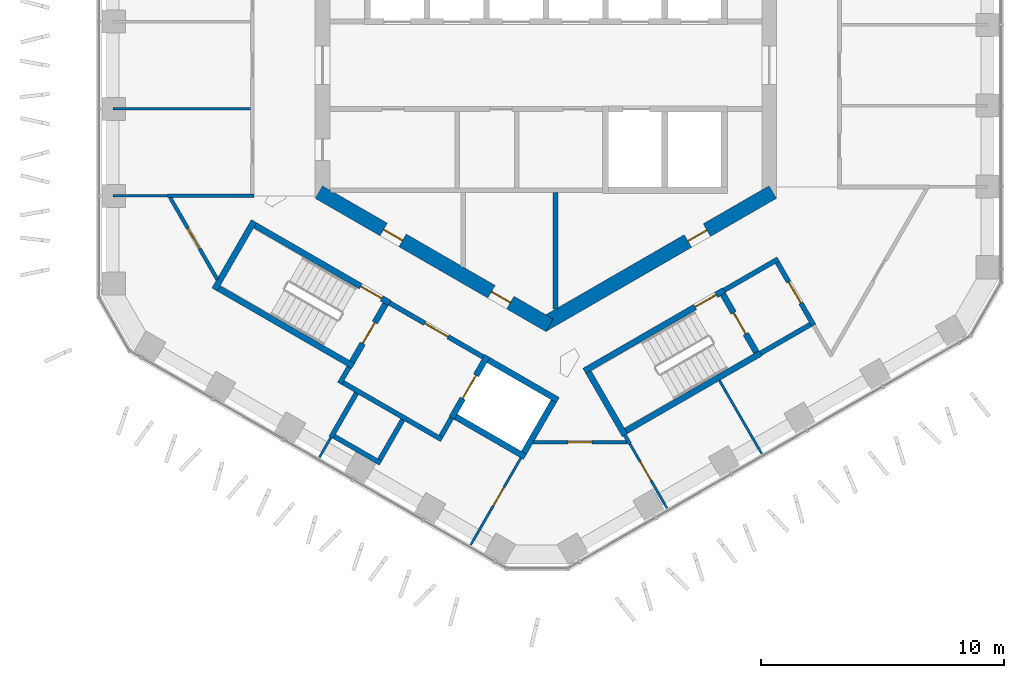
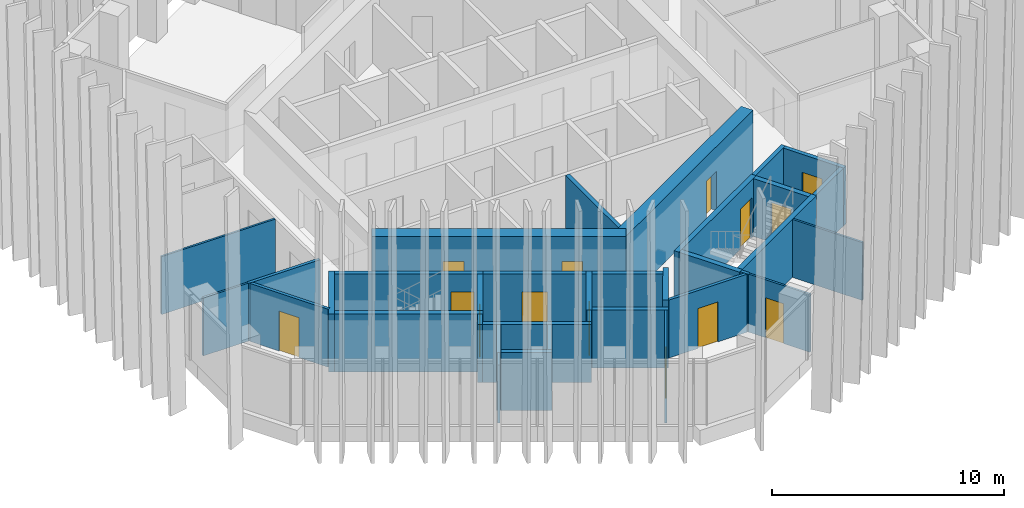
# One storey, part 13 of 21: 35 walls, 14 doors, 14 openings.
"""IFC4 building model written with IfcOpenShell, lengths in metres."""

from ifc_helpers import new_model, si_unit, direction, frame, frame_2d, origin, place, context, subcontext, project, spatial, rectangle, extrude, material, layer, layer_set, type_object, element, fill, save


model = new_model("IFC4")

# Units and contexts
model_context = context("Model", 3, precision=1e-05, world=origin(), true_north=direction((0.0, 1.0)))
body_context = subcontext(model_context, "Body", "Model", "MODEL_VIEW")
ifc_project = project(units=[si_unit("LENGTHUNIT", "METRE"), si_unit("AREAUNIT", "SQUARE_METRE"), si_unit("VOLUMEUNIT", "CUBIC_METRE"), si_unit("PLANEANGLEUNIT", "RADIAN"), si_unit("MASSUNIT", "GRAM", prefix="KILO")], contexts=[model_context])

# Site, building, storey
site_placement = place(None, origin())
site = spatial("IfcSite", under=ifc_project, at=site_placement, CompositionType="ELEMENT")
building_placement = place(site_placement, origin())
building = spatial("IfcBuilding", under=site, at=building_placement, Name="Ayvan Gate Tower", CompositionType="ELEMENT")
storey_placement = place(building_placement, frame((0.0, 0.0, 173.10009765625)))
storey = spatial("IfcBuildingStorey", under=building, at=storey_placement, Name="L46", CompositionType="ELEMENT", Elevation=173.10009765625)

# Wall, openings, doors
ifc_material_1 = material(Name="Concrete C60/75", Category="concrete")
ifc_layer_1 = layer(ifc_material_1, 0.60009765625)
ifc_layer_set_1 = layer_set([ifc_layer_1], Name="Concrete C60/75")
wall_type_1 = type_object("IfcWallType", Name="Core wall 600 C60/75", PredefinedType="SHEAR", material=ifc_layer_set_1)
wall_1_placement = place(storey_placement, frame((-9.35009765625, -5.22509765625, 0.0), z_axis=(0.0, 0.0, 1.0), x_axis=(0.866023993627, -0.500002442456, 0.0)))
wall_1 = element("IfcWall", 1, at=wall_1_placement, inside=storey, type_object=wall_type_1, Name="CORE-L46-4", PredefinedType="SHEAR", context=body_context, shape_type="SweptSolid", body=[
    extrude(rectangle(XDim=10.9697265625, YDim=0.60009765625, at=frame_2d((5.48486328125, 0.0))), origin(), (0.0, 0.0, 1.0), 3.39990234375),
])
opening_1_placement = place(wall_1_placement, frame((3.083984375, 0.0, 0.0)))
opening_1 = element("IfcOpeningElement", 2, at=opening_1_placement, cuts=wall_1, Name="Opening L46-D44", PredefinedType="OPENING", context=body_context, shape_type="SweptSolid", body=[
    extrude(rectangle(XDim=0.89990234375, YDim=2.10009765625, at=frame_2d((0.449951171875, 1.050048828125))), frame((0.0, 0.31005859375, 0.0), z_axis=(0.0, -1.0, 0.0), x_axis=(1.0, 0.0, 0.0)), (0.0, 0.0, 1.0), 0.6201171875),
])
opening_2_placement = place(wall_1_placement, frame((8.209716796875, 0.0, 0.0)))
opening_2 = element("IfcOpeningElement", 3, at=opening_2_placement, cuts=wall_1, Name="Opening L46-D45", PredefinedType="OPENING", context=body_context, shape_type="SweptSolid", body=[
    extrude(rectangle(XDim=0.89990234375, YDim=2.10009765625, at=frame_2d((0.449951171875, 1.050048828125))), frame((0.0, 0.31005859375, 0.0), z_axis=(0.0, -1.0, 0.0), x_axis=(1.0, 0.0, 0.0)), (0.0, 0.0, 1.0), 0.6201171875),
])
ifc_material_2 = material(Name="Timber door leaf", Category="wood")
door_type_1 = type_object("IfcDoorType", Name="DT-900", OperationType="NOTDEFINED", PredefinedType="DOOR", material=ifc_material_2)
door_1_placement = place(opening_1_placement, origin())
door_1 = element("IfcDoor", 4, at=door_1_placement, inside=storey, type_object=door_type_1, Name="CD-L46-44", OperationType="SINGLE_SWING_RIGHT", OverallHeight=2.10009765625, OverallWidth=0.89990234375, PredefinedType="DOOR", context=body_context, shape_type="SweptSolid", body=[
    extrude(rectangle(XDim=0.89990234375, YDim=2.10009765625, at=frame_2d((0.449951171875, 1.050048828125))), frame((0.0, 0.02490234375, 0.0), z_axis=(0.0, -1.0, 0.0), x_axis=(1.0, 0.0, 0.0)), (0.0, 0.0, 1.0), 0.050048828125),
])
fill(opening_1, door_1)
door_2_placement = place(opening_2_placement, origin())
door_2 = element("IfcDoor", 5, at=door_2_placement, inside=storey, type_object=door_type_1, Name="CD-L46-45", OperationType="SINGLE_SWING_LEFT", OverallHeight=2.10009765625, OverallWidth=0.89990234375, PredefinedType="DOOR", context=body_context, shape_type="SweptSolid", body=[
    extrude(rectangle(XDim=0.89990234375, YDim=2.10009765625, at=frame_2d((0.449951171875, 1.050048828125))), frame((0.0, 0.02490234375, 0.0), z_axis=(0.0, -1.0, 0.0), x_axis=(1.0, 0.0, 0.0)), (0.0, 0.0, 1.0), 0.050048828125),
])
fill(opening_2, door_2)

# Wall, opening, door
wall_2_placement = place(storey_placement, frame((-0.14990234375, -10.7099609375, 0.0), z_axis=(0.0, 0.0, 1.0), x_axis=(0.866023993627, 0.500002442456, 0.0)))
wall_2 = element("IfcWall", 6, at=wall_2_placement, inside=storey, type_object=wall_type_1, Name="CORE-L46-5", PredefinedType="SHEAR", context=body_context, shape_type="SweptSolid", body=[
    extrude(rectangle(XDim=10.9697265625, YDim=0.60009765625, at=frame_2d((5.48486328125, 0.0))), origin(), (0.0, 0.0, 1.0), 3.39990234375),
])
opening_3_placement = place(wall_2_placement, frame((6.934814453125, 0.0, 0.0)))
opening_3 = element("IfcOpeningElement", 7, at=opening_3_placement, cuts=wall_2, Name="Opening L46-D46", PredefinedType="OPENING", context=body_context, shape_type="SweptSolid", body=[
    extrude(rectangle(XDim=0.89990234375, YDim=2.10009765625, at=frame_2d((0.449951171875, 1.050048828125))), frame((0.0, 0.31005859375, 0.0), z_axis=(0.0, -1.0, 0.0), x_axis=(1.0, 0.0, 0.0)), (0.0, 0.0, 1.0), 0.6201171875),
])
door_3_placement = place(opening_3_placement, origin())
door_3 = element("IfcDoor", 8, at=door_3_placement, inside=storey, type_object=door_type_1, Name="CD-L46-46", OperationType="SINGLE_SWING_RIGHT", OverallHeight=2.10009765625, OverallWidth=0.89990234375, PredefinedType="DOOR", context=body_context, shape_type="SweptSolid", body=[
    extrude(rectangle(XDim=0.89990234375, YDim=2.10009765625, at=frame_2d((0.449951171875, 1.050048828125))), frame((0.0, 0.02490234375, 0.0), z_axis=(0.0, -1.0, 0.0), x_axis=(1.0, 0.0, 0.0)), (0.0, 0.0, 1.0), 0.050048828125),
])
fill(opening_3, door_3)

# Wall
ifc_material_3 = material(Name="Plasterboard on steel stud", Category="steel")
ifc_layer_2 = layer(ifc_material_3, 0.14990234375)
ifc_layer_set_2 = layer_set([ifc_layer_2], Name="Plasterboard on steel stud")
wall_type_2 = type_object("IfcWallType", Name="WT-CORR-150", PredefinedType="PARTITIONING", material=ifc_layer_set_2)
wall_3_placement = place(storey_placement, frame((-15.59228515625, -5.384033203125, 0.0), z_axis=(0.0, 0.0, 1.0), x_axis=(1.0, 0.0, 0.0)))
element("IfcWall", 9, at=wall_3_placement, inside=storey, type_object=wall_type_2, Name="IW-L46-002", PredefinedType="PARTITIONING", context=body_context, shape_type="SweptSolid", body=[
    extrude(rectangle(XDim=3.5673828125, YDim=0.14990234375, at=frame_2d((1.78369140625, 0.0))), origin(), (0.0, 0.0, 1.0), 3.0498046875),
])

# Wall, opening, door
wall_4_placement = place(storey_placement, frame((-13.5322265625, -8.822021484375, 0.0), z_axis=(0.0, 0.0, 1.0), x_axis=(-0.500042595688, 0.866000809756, 0.0)))
wall_4 = element("IfcWall", 10, at=wall_4_placement, inside=storey, type_object=wall_type_2, Name="IW-L46-007", PredefinedType="PARTITIONING", context=body_context, shape_type="SweptSolid", body=[
    extrude(rectangle(XDim=3.894775390625, YDim=0.14990234375, at=frame_2d((1.947265625, 0.0))), origin(), (0.0, 0.0, 1.0), 3.0498046875),
])
opening_4_placement = place(wall_4_placement, frame((1.447509765625, 0.0, 0.0)))
opening_4 = element("IfcOpeningElement", 11, at=opening_4_placement, cuts=wall_4, Name="Opening L46-D33", PredefinedType="OPENING", context=body_context, shape_type="SweptSolid", body=[
    extrude(rectangle(XDim=1.0, YDim=2.10009765625, at=frame_2d((0.5, 1.050048828125))), frame((0.0, 0.0849609375, 0.0), z_axis=(0.0, -1.0, 0.0), x_axis=(1.0, 0.0, 0.0)), (0.0, 0.0, 1.0), 0.169921875),
])
door_type_2 = type_object("IfcDoorType", Name="DT-1000", OperationType="NOTDEFINED", PredefinedType="DOOR", material=ifc_material_2)
door_4_placement = place(opening_4_placement, origin())
door_4 = element("IfcDoor", 12, at=door_4_placement, inside=storey, type_object=door_type_2, Name="ID-L46-033", OperationType="SINGLE_SWING_LEFT", OverallHeight=2.10009765625, OverallWidth=1.0, PredefinedType="DOOR", context=body_context, shape_type="SweptSolid", body=[
    extrude(rectangle(XDim=1.0, YDim=2.10009765625, at=frame_2d((0.5, 1.050048828125))), frame((0.0, 0.02490234375, 0.0), z_axis=(0.0, -1.0, 0.0), x_axis=(1.0, 0.0, 0.0)), (0.0, 0.0, 1.0), 0.050048828125),
])
fill(opening_4, door_4)

# Wall
wall_5_placement = place(storey_placement, frame((3.255615234375, -15.23876953125, 0.0), z_axis=(0.0, 0.0, 1.0), x_axis=(0.500030520673, -0.866007781949, 0.0)))
element("IfcWall", 13, at=wall_5_placement, inside=storey, type_object=wall_type_2, Name="IW-L46-060", PredefinedType="PARTITIONING", context=body_context, shape_type="SweptSolid", body=[
    extrude(rectangle(XDim=0.41162109375, YDim=0.14990234375, at=frame_2d((0.205810546875, 0.0))), origin(), (0.0, 0.0, 1.0), 3.0498046875),
])

# Wall, opening, door
wall_6_placement = place(storey_placement, frame((3.348876953125, -15.5302734375, 0.0), z_axis=(0.0, 0.0, 1.0), x_axis=(-1.0, 0.0, 0.0)))
wall_6 = element("IfcWall", 14, at=wall_6_placement, inside=storey, type_object=wall_type_2, Name="IW-L46-063", PredefinedType="PARTITIONING", context=body_context, shape_type="SweptSolid", body=[
    extrude(rectangle(XDim=3.87646484375, YDim=0.14990234375, at=frame_2d((1.938232421875, 0.0))), origin(), (0.0, 0.0, 1.0), 3.0498046875),
])
opening_5_placement = place(wall_6_placement, frame((1.438232421875, 0.0, 0.0)))
opening_5 = element("IfcOpeningElement", 15, at=opening_5_placement, cuts=wall_6, Name="Opening L46-D34", PredefinedType="OPENING", context=body_context, shape_type="SweptSolid", body=[
    extrude(rectangle(XDim=1.0, YDim=2.10009765625, at=frame_2d((0.5, 1.050048828125))), frame((0.0, 0.0849609375, 0.0), z_axis=(0.0, -1.0, 0.0), x_axis=(1.0, 0.0, 0.0)), (0.0, 0.0, 1.0), 0.169921875),
])
door_5_placement = place(opening_5_placement, origin())
door_5 = element("IfcDoor", 16, at=door_5_placement, inside=storey, type_object=door_type_2, Name="ID-L46-034", OperationType="SINGLE_SWING_RIGHT", OverallHeight=2.10009765625, OverallWidth=1.0, PredefinedType="DOOR", context=body_context, shape_type="SweptSolid", body=[
    extrude(rectangle(XDim=1.0, YDim=2.10009765625, at=frame_2d((0.5, 1.050048828125))), frame((0.0, 0.02490234375, 0.0), z_axis=(0.0, -1.0, 0.0), x_axis=(1.0, 0.0, 0.0)), (0.0, 0.0, 1.0), 0.050048828125),
])
fill(opening_5, door_5)

# Walls
ifc_layer_3 = layer(ifc_material_3, 0.10009765625)
ifc_layer_set_3 = layer_set([ifc_layer_3], Name="Plasterboard on steel stud")
wall_type_3 = type_object("IfcWallType", Name="WT-PART-100", PredefinedType="PARTITIONING", material=ifc_layer_set_3)
wall_7_placement = place(storey_placement, frame((-15.592041015625, -5.384033203125, 0.0), z_axis=(0.0, 0.0, 1.0), x_axis=(-1.0, 0.0, 0.0)))
element("IfcWall", 17, at=wall_7_placement, inside=storey, type_object=wall_type_3, Name="IW-L46-003", PredefinedType="PARTITIONING", context=body_context, shape_type="SweptSolid", body=[
    extrude(rectangle(XDim=2.238525390625, YDim=0.10009765625, at=frame_2d((1.119140625, 0.0))), origin(), (0.0, 0.0, 1.0), 3.0498046875),
])
wall_8_placement = place(storey_placement, frame((-12.175048828125, -1.794677734375, 0.0), z_axis=(0.0, 0.0, 1.0), x_axis=(-1.0, 0.0, 0.0)))
element("IfcWall", 18, at=wall_8_placement, inside=storey, type_object=wall_type_3, Name="IW-L46-011", PredefinedType="PARTITIONING", context=body_context, shape_type="SweptSolid", body=[
    extrude(rectangle(XDim=5.655517578125, YDim=0.10009765625, at=frame_2d((2.82763671875, 0.0))), origin(), (0.0, 0.0, 1.0), 3.0498046875),
])
wall_9_placement = place(storey_placement, frame((-9.328857421875, -16.157958984375, 0.0), z_axis=(0.0, 0.0, 1.0), x_axis=(0.499950501706, 0.866053979752, 0.0)))
element("IfcWall", 19, at=wall_9_placement, inside=storey, type_object=wall_type_3, Name="IW-L46-021", PredefinedType="PARTITIONING", context=body_context, shape_type="SweptSolid", body=[
    extrude(rectangle(XDim=0.95751953125, YDim=0.10009765625, at=frame_2d((0.478759765625, 0.0))), origin(), (0.0, 0.0, 1.0), 3.0498046875),
])

# Wall, opening, door
wall_10_placement = place(storey_placement, frame((-3.093505859375, -19.7578125, 0.0), z_axis=(0.0, 0.0, 1.0), x_axis=(0.500027577057, 0.866009481578, 0.0)))
wall_10 = element("IfcWall", 20, at=wall_10_placement, inside=storey, type_object=wall_type_3, Name="IW-L46-039", PredefinedType="PARTITIONING", context=body_context, shape_type="SweptSolid", body=[
    extrude(rectangle(XDim=4.132568359375, YDim=0.10009765625, at=frame_2d((2.06640625, 0.0))), origin(), (0.0, 0.0, 1.0), 3.0498046875),
])
opening_6_placement = place(wall_10_placement, frame((1.851806640625, 0.0, 0.0)))
opening_6 = element("IfcOpeningElement", 21, at=opening_6_placement, cuts=wall_10, Name="Opening L46-D35", PredefinedType="OPENING", context=body_context, shape_type="SweptSolid", body=[
    extrude(rectangle(XDim=0.89990234375, YDim=2.10009765625, at=frame_2d((0.449951171875, 1.050048828125))), frame((0.0, 0.06005859375, 0.0), z_axis=(0.0, -1.0, 0.0), x_axis=(1.0, 0.0, 0.0)), (0.0, 0.0, 1.0), 0.1201171875),
])
door_6_placement = place(opening_6_placement, origin())
door_6 = element("IfcDoor", 22, at=door_6_placement, inside=storey, type_object=door_type_1, Name="ID-L46-035", OperationType="SINGLE_SWING_LEFT", OverallHeight=2.10009765625, OverallWidth=0.89990234375, PredefinedType="DOOR", context=body_context, shape_type="SweptSolid", body=[
    extrude(rectangle(XDim=0.89990234375, YDim=2.10009765625, at=frame_2d((0.449951171875, 1.050048828125))), frame((0.0, 0.02490234375, 0.0), z_axis=(0.0, -1.0, 0.0), x_axis=(1.0, 0.0, 0.0)), (0.0, 0.0, 1.0), 0.050048828125),
])
fill(opening_6, door_6)

wall_11_placement = place(storey_placement, frame((3.46142578125, -15.59521484375, 0.0), z_axis=(0.0, 0.0, 1.0), x_axis=(0.50000286006, -0.866023752521, 0.0)))
wall_11 = element("IfcWall", 23, at=wall_11_placement, inside=storey, type_object=wall_type_3, Name="IW-L46-064", PredefinedType="PARTITIONING", context=body_context, shape_type="SweptSolid", body=[
    extrude(rectangle(XDim=3.06494140625, YDim=0.10009765625, at=frame_2d((1.532470703125, 0.0))), origin(), (0.0, 0.0, 1.0), 3.0498046875),
])
opening_7_placement = place(wall_11_placement, frame((0.846923828125, 0.0, 0.0)))
opening_7 = element("IfcOpeningElement", 24, at=opening_7_placement, cuts=wall_11, Name="Opening L46-D36", PredefinedType="OPENING", context=body_context, shape_type="SweptSolid", body=[
    extrude(rectangle(XDim=0.89990234375, YDim=2.10009765625, at=frame_2d((0.449951171875, 1.050048828125))), frame((0.0, 0.06005859375, 0.0), z_axis=(0.0, -1.0, 0.0), x_axis=(1.0, 0.0, 0.0)), (0.0, 0.0, 1.0), 0.1201171875),
])
door_7_placement = place(opening_7_placement, origin())
door_7 = element("IfcDoor", 25, at=door_7_placement, inside=storey, type_object=door_type_1, Name="ID-L46-036", OperationType="SINGLE_SWING_RIGHT", OverallHeight=2.10009765625, OverallWidth=0.89990234375, PredefinedType="DOOR", context=body_context, shape_type="SweptSolid", body=[
    extrude(rectangle(XDim=0.89990234375, YDim=2.10009765625, at=frame_2d((0.449951171875, 1.050048828125))), frame((0.0, 0.02490234375, 0.0), z_axis=(0.0, -1.0, 0.0), x_axis=(1.0, 0.0, 0.0)), (0.0, 0.0, 1.0), 0.050048828125),
])
fill(opening_7, door_7)

# Walls
wall_12_placement = place(storey_placement, frame((7.152587890625, -12.98876953125, 0.0), z_axis=(0.0, 0.0, 1.0), x_axis=(0.500006134913, -0.866021861762, 0.0)))
element("IfcWall", 26, at=wall_12_placement, inside=storey, type_object=wall_type_3, Name="IW-L46-073", PredefinedType="PARTITIONING", context=body_context, shape_type="SweptSolid", body=[
    extrude(rectangle(XDim=3.4765625, YDim=0.10009765625, at=frame_2d((1.73828125, 0.0))), origin(), (0.0, 0.0, 1.0), 3.0498046875),
])
ifc_layer_4 = layer(ifc_material_3, 0.199951171875)
ifc_layer_set_4 = layer_set([ifc_layer_4], Name="Plasterboard on steel stud")
wall_type_4 = type_object("IfcWallType", Name="WT-PLUMB-200", PredefinedType="PLUMBINGWALL", material=ifc_layer_set_4)
wall_13_placement = place(storey_placement, frame((-8.85009765625, -15.32861328125, 0.0), z_axis=(0.0, 0.0, 1.0), x_axis=(0.500027713859, 0.866009402589, 0.0)))
element("IfcWall", 27, at=wall_13_placement, inside=storey, type_object=wall_type_4, Name="IW-L46-018", PredefinedType="PLUMBINGWALL", context=body_context, shape_type="SweptSolid", body=[
    extrude(rectangle(XDim=2.10009765625, YDim=0.199951171875, at=frame_2d((1.050048828125, 0.0))), origin(), (0.0, 0.0, 1.0), 3.0498046875),
])
wall_14_placement = place(storey_placement, frame((-6.80810546875, -16.39208984375, 0.0), z_axis=(0.0, 0.0, 1.0), x_axis=(-0.866008176907, 0.50002983664, 0.0)))
element("IfcWall", 28, at=wall_14_placement, inside=storey, type_object=wall_type_4, Name="IW-L46-026", PredefinedType="PLUMBINGWALL", context=body_context, shape_type="SweptSolid", body=[
    extrude(rectangle(XDim=2.199951171875, YDim=0.199951171875, at=frame_2d((1.10009765625, 0.0))), origin(), (0.0, 0.0, 1.0), 3.0498046875),
])
wall_15_placement = place(storey_placement, frame((-5.894775390625, -14.610107421875, 0.0), z_axis=(0.0, 0.0, 1.0), x_axis=(-0.500022797313, -0.86601224135, 0.0)))
element("IfcWall", 29, at=wall_15_placement, inside=storey, type_object=wall_type_4, Name="IW-L46-029", PredefinedType="PLUMBINGWALL", context=body_context, shape_type="SweptSolid", body=[
    extrude(rectangle(XDim=1.89990234375, YDim=0.199951171875, at=frame_2d((0.949951171875, 0.0))), origin(), (0.0, 0.0, 1.0), 3.0498046875),
])
ifc_layer_5 = layer(ifc_material_3, 0.199951171875)
ifc_layer_set_5 = layer_set([ifc_layer_5], Name="Plasterboard on steel stud")
wall_type_5 = type_object("IfcWallType", Name="WT-RATED-200", PredefinedType="PARTITIONING", material=ifc_layer_set_5)
wall_16_placement = place(storey_placement, frame((-8.492919921875, -13.110107421875, 0.0), z_axis=(0.0, 0.0, 1.0), x_axis=(0.500067724834, 0.865986299303, 0.0)))
element("IfcWall", 30, at=wall_16_placement, inside=storey, type_object=wall_type_5, Name="IW-L46-019", PredefinedType="PARTITIONING", context=body_context, shape_type="SweptSolid", body=[
    extrude(rectangle(XDim=0.775390625, YDim=0.199951171875, at=frame_2d((0.3876953125, 0.0))), origin(), (0.0, 0.0, 1.0), 3.0498046875),
])
wall_17_placement = place(storey_placement, frame((-8.356201171875, -13.073486328125, 0.0), z_axis=(0.0, 0.0, 1.0), x_axis=(0.866038532462, -0.499977259774, 0.0)))
element("IfcWall", 31, at=wall_17_placement, inside=storey, type_object=wall_type_5, Name="IW-L46-022", PredefinedType="PARTITIONING", context=body_context, shape_type="SweptSolid", body=[
    extrude(rectangle(XDim=4.699951171875, YDim=0.199951171875, at=frame_2d((2.35009765625, 0.0))), origin(), (0.0, 0.0, 1.0), 3.0498046875),
])

# Wall, opening, door
wall_18_placement = place(storey_placement, frame((-6.4345703125, -9.794921875, 0.0), z_axis=(0.0, 0.0, 1.0), x_axis=(0.866012907634, -0.500021643343, 0.0)))
wall_18 = element("IfcWall", 32, at=wall_18_placement, inside=storey, type_object=wall_type_5, Name="IW-L46-028", PredefinedType="PARTITIONING", context=body_context, shape_type="SweptSolid", body=[
    extrude(rectangle(XDim=4.449951171875, YDim=0.199951171875, at=frame_2d((2.22509765625, 0.0))), origin(), (0.0, 0.0, 1.0), 3.0498046875),
])
opening_8_placement = place(wall_18_placement, frame((1.675048828125, 0.0, 0.0)))
opening_8 = element("IfcOpeningElement", 33, at=opening_8_placement, cuts=wall_18, Name="Opening L46-D17", PredefinedType="OPENING", context=body_context, shape_type="SweptSolid", body=[
    extrude(rectangle(XDim=1.10009765625, YDim=2.10009765625, at=frame_2d((0.550048828125, 1.050048828125))), frame((0.0, 0.10986328125, 0.0), z_axis=(0.0, -1.0, 0.0), x_axis=(1.0, 0.0, 0.0)), (0.0, 0.0, 1.0), 0.219970703125),
])
door_type_3 = type_object("IfcDoorType", Name="DT-1100", OperationType="NOTDEFINED", PredefinedType="DOOR", material=ifc_material_2)
door_8_placement = place(opening_8_placement, origin())
door_8 = element("IfcDoor", 34, at=door_8_placement, inside=storey, type_object=door_type_3, Name="ID-L46-017", OperationType="SINGLE_SWING_LEFT", OverallHeight=2.10009765625, OverallWidth=1.10009765625, PredefinedType="DOOR", context=body_context, shape_type="SweptSolid", body=[
    extrude(rectangle(XDim=1.10009765625, YDim=2.10009765625, at=frame_2d((0.550048828125, 1.050048828125))), frame((0.0, 0.02490234375, 0.0), z_axis=(0.0, -1.0, 0.0), x_axis=(1.0, 0.0, 0.0)), (0.0, 0.0, 1.0), 0.050048828125),
])
fill(opening_8, door_8)

# Walls
wall_19_placement = place(storey_placement, frame((-3.885009765625, -14.52880859375, 0.0), z_axis=(0.0, 0.0, 1.0), x_axis=(-0.499859285417, -0.866106630146, 0.0)))
element("IfcWall", 35, at=wall_19_placement, inside=storey, type_object=wall_type_5, Name="IW-L46-033", PredefinedType="PARTITIONING", context=body_context, shape_type="SweptSolid", body=[
    extrude(rectangle(XDim=0.875244140625, YDim=0.199951171875, at=frame_2d((0.4375, 0.0))), origin(), (0.0, 0.0, 1.0), 3.0498046875),
])
wall_20_placement = place(storey_placement, frame((0.39990234375, -5.25, 0.0), z_axis=(0.0, 0.0, 1.0), x_axis=(0.0, -1.0, 0.0)))
element("IfcWall", 36, at=wall_20_placement, inside=storey, type_object=wall_type_5, Name="IW-L46-051", PredefinedType="PARTITIONING", context=body_context, shape_type="SweptSolid", body=[
    extrude(rectangle(XDim=4.7958984375, YDim=0.199951171875, at=frame_2d((2.39794921875, 0.0))), origin(), (0.0, 0.0, 1.0), 3.0498046875),
])
wall_21_placement = place(storey_placement, frame((7.343994140625, -9.27001953125, 0.0), z_axis=(0.0, 0.0, 1.0), x_axis=(0.866005588531, 0.500034319456, 0.0)))
element("IfcWall", 37, at=wall_21_placement, inside=storey, type_object=wall_type_5, Name="IW-L46-076", PredefinedType="PARTITIONING", context=body_context, shape_type="SweptSolid", body=[
    extrude(rectangle(XDim=2.574951171875, YDim=0.199951171875, at=frame_2d((1.28759765625, 0.0))), origin(), (0.0, 0.0, 1.0), 3.0498046875),
])

# Wall, opening, door
wall_22_placement = place(storey_placement, frame((9.537353515625, -8.119140625, 0.0), z_axis=(0.0, 0.0, 1.0), x_axis=(0.499990139034, -0.866031096941, 0.0)))
wall_22 = element("IfcWall", 38, at=wall_22_placement, inside=storey, type_object=wall_type_5, Name="IW-L46-084", PredefinedType="PARTITIONING", context=body_context, shape_type="SweptSolid", body=[
    extrude(rectangle(XDim=3.0, YDim=0.199951171875, at=frame_2d((1.5, 0.0))), origin(), (0.0, 0.0, 1.0), 3.0498046875),
])
opening_9_placement = place(wall_22_placement, frame((0.93505859375, 0.0, 0.0)))
opening_9 = element("IfcOpeningElement", 39, at=opening_9_placement, cuts=wall_22, Name="Opening L46-D20", PredefinedType="OPENING", context=body_context, shape_type="SweptSolid", body=[
    extrude(rectangle(XDim=1.0, YDim=2.10009765625, at=frame_2d((0.5, 1.050048828125))), frame((0.0, 0.10986328125, 0.0), z_axis=(0.0, -1.0, 0.0), x_axis=(1.0, 0.0, 0.0)), (0.0, 0.0, 1.0), 0.219970703125),
])
door_9_placement = place(opening_9_placement, origin())
door_9 = element("IfcDoor", 40, at=door_9_placement, inside=storey, type_object=door_type_2, Name="ID-L46-020", OperationType="SINGLE_SWING_RIGHT", OverallHeight=2.10009765625, OverallWidth=1.0, PredefinedType="DOOR", context=body_context, shape_type="SweptSolid", body=[
    extrude(rectangle(XDim=1.0, YDim=2.10009765625, at=frame_2d((0.5, 1.050048828125))), frame((0.0, 0.02490234375, 0.0), z_axis=(0.0, -1.0, 0.0), x_axis=(1.0, 0.0, 0.0)), (0.0, 0.0, 1.0), 0.050048828125),
])
fill(opening_9, door_9)

# Walls
wall_23_placement = place(storey_placement, frame((10.900634765625, -10.6806640625, 0.0), z_axis=(0.0, 0.0, 1.0), x_axis=(-0.866007538022, -0.500030943131, 0.0)))
element("IfcWall", 41, at=wall_23_placement, inside=storey, type_object=wall_type_5, Name="IW-L46-085", PredefinedType="PARTITIONING", context=body_context, shape_type="SweptSolid", body=[
    extrude(rectangle(XDim=2.374755859375, YDim=0.199951171875, at=frame_2d((1.1875, 0.0))), origin(), (0.0, 0.0, 1.0), 3.0498046875),
])
ifc_material_4 = material(Name="Concrete C50/60", Category="concrete")
ifc_layer_6 = layer(ifc_material_4, 0.25)
ifc_layer_set_6 = layer_set([ifc_layer_6], Name="Concrete C50/60")
wall_type_6 = type_object("IfcWallType", Name="WT-RC-250", PredefinedType="SHEAR", material=ifc_layer_set_6)
wall_24_placement = place(storey_placement, frame((-13.64794921875, -9.23876953125, 0.0), z_axis=(0.0, 0.0, 1.0), x_axis=(0.500017246033, 0.866015446554, 0.0)))
element("IfcWall", 42, at=wall_24_placement, inside=storey, type_object=wall_type_6, Name="IW-L46-006", PredefinedType="SHEAR", context=body_context, shape_type="SweptSolid", body=[
    extrude(rectangle(XDim=3.25, YDim=0.25, at=frame_2d((1.625, 0.0))), origin(), (0.0, 0.0, 1.0), 3.0498046875),
])

# Wall, opening, door
wall_25_placement = place(storey_placement, frame((-11.97705078125, -6.594970703125, 0.0), z_axis=(0.0, 0.0, 1.0), x_axis=(0.866025499775, -0.499999833739, 0.0)))
wall_25 = element("IfcWall", 43, at=wall_25_placement, inside=storey, type_object=wall_type_6, Name="IW-L46-014", PredefinedType="SHEAR", context=body_context, shape_type="SweptSolid", body=[
    extrude(rectangle(XDim=6.39990234375, YDim=0.25, at=frame_2d((3.199951171875, 0.0))), origin(), (0.0, 0.0, 1.0), 3.0498046875),
])
opening_10_placement = place(wall_25_placement, frame((5.02490234375, 0.0, 0.0)))
opening_10 = element("IfcOpeningElement", 44, at=opening_10_placement, cuts=wall_25, Name="Opening L46-D15", PredefinedType="OPENING", context=body_context, shape_type="SweptSolid", body=[
    extrude(rectangle(XDim=1.0, YDim=2.10009765625, at=frame_2d((0.5, 1.050048828125))), frame((0.0, 0.135009765625, 0.0), z_axis=(0.0, -1.0, 0.0), x_axis=(1.0, 0.0, 0.0)), (0.0, 0.0, 1.0), 0.27001953125),
])
door_10_placement = place(opening_10_placement, origin())
door_10 = element("IfcDoor", 45, at=door_10_placement, inside=storey, type_object=door_type_2, Name="ID-L46-015", OperationType="SINGLE_SWING_LEFT", OverallHeight=2.10009765625, OverallWidth=1.0, PredefinedType="DOOR", context=body_context, shape_type="SweptSolid", body=[
    extrude(rectangle(XDim=1.0, YDim=2.10009765625, at=frame_2d((0.5, 1.050048828125))), frame((0.0, 0.02490234375, 0.0), z_axis=(0.0, -1.0, 0.0), x_axis=(1.0, 0.0, 0.0)), (0.0, 0.0, 1.0), 0.050048828125),
])
fill(opening_10, door_10)

# Wall
wall_26_placement = place(storey_placement, frame((-7.9345703125, -12.39306640625, 0.0), z_axis=(0.0, 0.0, 1.0), x_axis=(-0.866025499775, 0.499999833739, 0.0)))
element("IfcWall", 46, at=wall_26_placement, inside=storey, type_object=wall_type_6, Name="IW-L46-020", PredefinedType="SHEAR", context=body_context, shape_type="SweptSolid", body=[
    extrude(rectangle(XDim=6.39990234375, YDim=0.25, at=frame_2d((3.199951171875, 0.0))), origin(), (0.0, 0.0, 1.0), 3.0498046875),
])

# Wall, opening, door
wall_27_placement = place(storey_placement, frame((-6.605224609375, -9.8408203125, 0.0), z_axis=(0.0, 0.0, 1.0), x_axis=(-0.499996545922, -0.866027397988, 0.0)))
wall_27 = element("IfcWall", 47, at=wall_27_placement, inside=storey, type_object=wall_type_6, Name="IW-L46-027", PredefinedType="SHEAR", context=body_context, shape_type="SweptSolid", body=[
    extrude(rectangle(XDim=2.75, YDim=0.25, at=frame_2d((1.375, 0.0))), origin(), (0.0, 0.0, 1.0), 3.0498046875),
])
opening_11_placement = place(wall_27_placement, frame((0.875, 0.0, 0.0)))
opening_11 = element("IfcOpeningElement", 48, at=opening_11_placement, cuts=wall_27, Name="Opening L46-D16", PredefinedType="OPENING", context=body_context, shape_type="SweptSolid", body=[
    extrude(rectangle(XDim=1.0, YDim=2.10009765625, at=frame_2d((0.5, 1.050048828125))), frame((0.0, 0.135009765625, 0.0), z_axis=(0.0, -1.0, 0.0), x_axis=(1.0, 0.0, 0.0)), (0.0, 0.0, 1.0), 0.27001953125),
])
door_11_placement = place(opening_11_placement, origin())
door_11 = element("IfcDoor", 49, at=door_11_placement, inside=storey, type_object=door_type_2, Name="ID-L46-016", OperationType="SINGLE_SWING_RIGHT", OverallHeight=2.10009765625, OverallWidth=1.0, PredefinedType="DOOR", context=body_context, shape_type="SweptSolid", body=[
    extrude(rectangle(XDim=1.0, YDim=2.10009765625, at=frame_2d((0.5, 1.050048828125))), frame((0.0, 0.02490234375, 0.0), z_axis=(0.0, -1.0, 0.0), x_axis=(1.0, 0.0, 0.0)), (0.0, 0.0, 1.0), 0.050048828125),
])
fill(opening_11, door_11)

wall_28_placement = place(storey_placement, frame((-2.409912109375, -11.97412109375, 0.0), z_axis=(0.0, 0.0, 1.0), x_axis=(-0.500001826776, -0.866024349092, 0.0)))
wall_28 = element("IfcWall", 50, at=wall_28_placement, inside=storey, type_object=wall_type_6, Name="IW-L46-040", PredefinedType="SHEAR", context=body_context, shape_type="SweptSolid", body=[
    extrude(rectangle(XDim=2.9501953125, YDim=0.25, at=frame_2d((1.47509765625, 0.0))), origin(), (0.0, 0.0, 1.0), 3.0498046875),
])
opening_12_placement = place(wall_28_placement, frame((0.925048828125, 0.0, 0.0)))
opening_12 = element("IfcOpeningElement", 51, at=opening_12_placement, cuts=wall_28, Name="Opening L46-LD-FF2", PredefinedType="OPENING", context=body_context, shape_type="SweptSolid", body=[
    extrude(rectangle(XDim=1.10009765625, YDim=2.10009765625, at=frame_2d((0.550048828125, 1.050048828125))), frame((0.0, 0.135009765625, 0.0), z_axis=(0.0, -1.0, 0.0), x_axis=(1.0, 0.0, 0.0)), (0.0, 0.0, 1.0), 0.27001953125),
])
ifc_material_5 = material(Name="Stainless steel landing door", Category="steel")
door_type_4 = type_object("IfcDoorType", Name="DT-LANDING-1100", OperationType="SLIDING_TO_LEFT", PredefinedType="DOOR", material=ifc_material_5)
door_12_placement = place(opening_12_placement, origin())
door_12 = element("IfcDoor", 52, at=door_12_placement, inside=storey, type_object=door_type_4, Name="ID-L46-018", OperationType="SLIDING_TO_LEFT", OverallHeight=2.10009765625, OverallWidth=1.10009765625, PredefinedType="DOOR", context=body_context, shape_type="SweptSolid", body=[
    extrude(rectangle(XDim=1.10009765625, YDim=2.10009765625, at=frame_2d((0.550048828125, 1.050048828125))), frame((0.0, 0.02490234375, 0.0), z_axis=(0.0, -1.0, 0.0), x_axis=(1.0, 0.0, 0.0)), (0.0, 0.0, 1.0), 0.050048828125),
])
fill(opening_12, door_12)

# Walls
wall_29_placement = place(storey_placement, frame((-2.3642578125, -12.14501953125, 0.0), z_axis=(0.0, 0.0, 1.0), x_axis=(0.866040211805, -0.499974350878, 0.0)))
element("IfcWall", 53, at=wall_29_placement, inside=storey, type_object=wall_type_6, Name="IW-L46-041", PredefinedType="SHEAR", context=body_context, shape_type="SweptSolid", body=[
    extrude(rectangle(XDim=3.300048828125, YDim=0.25, at=frame_2d((1.64990234375, 0.0))), origin(), (0.0, 0.0, 1.0), 3.0498046875),
])
wall_30_placement = place(storey_placement, frame((-0.8564453125, -16.13330078125, 0.0), z_axis=(0.0, 0.0, 1.0), x_axis=(-0.866021716278, 0.500006386895, 0.0)))
element("IfcWall", 54, at=wall_30_placement, inside=storey, type_object=wall_type_6, Name="IW-L46-046", PredefinedType="SHEAR", context=body_context, shape_type="SweptSolid", body=[
    extrude(rectangle(XDim=3.2998046875, YDim=0.25, at=frame_2d((1.64990234375, 0.0))), origin(), (0.0, 0.0, 1.0), 3.0498046875),
])
wall_31_placement = place(storey_placement, frame((-0.902099609375, -15.96240234375, 0.0), z_axis=(0.0, 0.0, 1.0), x_axis=(0.500061746146, 0.865989751695, 0.0)))
element("IfcWall", 55, at=wall_31_placement, inside=storey, type_object=wall_type_6, Name="IW-L46-047", PredefinedType="SHEAR", context=body_context, shape_type="SweptSolid", body=[
    extrude(rectangle(XDim=2.449951171875, YDim=0.25, at=frame_2d((1.22509765625, 0.0))), origin(), (0.0, 0.0, 1.0), 3.39990234375),
])

# Wall, opening, door
wall_32_placement = place(storey_placement, frame((1.584716796875, -12.594970703125, 0.0), z_axis=(0.0, 0.0, 1.0), x_axis=(0.866036417653, 0.499980922934, 0.0)))
wall_32 = element("IfcWall", 56, at=wall_32_placement, inside=storey, type_object=wall_type_6, Name="IW-L46-054", PredefinedType="SHEAR", context=body_context, shape_type="SweptSolid", body=[
    extrude(rectangle(XDim=6.650146484375, YDim=0.25, at=frame_2d((3.3251953125, 0.0))), origin(), (0.0, 0.0, 1.0), 3.0498046875),
])
opening_13_placement = place(wall_32_placement, frame((5.27490234375, 0.0, 0.0)))
opening_13 = element("IfcOpeningElement", 57, at=opening_13_placement, cuts=wall_32, Name="Opening L46-D19", PredefinedType="OPENING", context=body_context, shape_type="SweptSolid", body=[
    extrude(rectangle(XDim=1.0, YDim=2.10009765625, at=frame_2d((0.5, 1.050048828125))), frame((0.0, 0.135009765625, 0.0), z_axis=(0.0, -1.0, 0.0), x_axis=(1.0, 0.0, 0.0)), (0.0, 0.0, 1.0), 0.27001953125),
])
door_13_placement = place(opening_13_placement, origin())
door_13 = element("IfcDoor", 58, at=door_13_placement, inside=storey, type_object=door_type_2, Name="ID-L46-019", OperationType="SINGLE_SWING_LEFT", OverallHeight=2.10009765625, OverallWidth=1.0, PredefinedType="DOOR", context=body_context, shape_type="SweptSolid", body=[
    extrude(rectangle(XDim=1.0, YDim=2.10009765625, at=frame_2d((0.5, 1.050048828125))), frame((0.0, 0.02490234375, 0.0), z_axis=(0.0, -1.0, 0.0), x_axis=(1.0, 0.0, 0.0)), (0.0, 0.0, 1.0), 0.050048828125),
])
fill(opening_13, door_13)

# Walls
wall_33_placement = place(storey_placement, frame((3.255615234375, -15.23876953125, 0.0), z_axis=(0.0, 0.0, 1.0), x_axis=(-0.50002537861, 0.866010750942, 0.0)))
element("IfcWall", 59, at=wall_33_placement, inside=storey, type_object=wall_type_6, Name="IW-L46-061", PredefinedType="SHEAR", context=body_context, shape_type="SweptSolid", body=[
    extrude(rectangle(XDim=2.999755859375, YDim=0.25, at=frame_2d((1.5, 0.0))), origin(), (0.0, 0.0, 1.0), 3.0498046875),
])
wall_34_placement = place(storey_placement, frame((3.30126953125, -15.068115234375, 0.0), z_axis=(0.0, 0.0, 1.0), x_axis=(0.866035036182, 0.499983315828, 0.0)))
element("IfcWall", 60, at=wall_34_placement, inside=storey, type_object=wall_type_6, Name="IW-L46-074", PredefinedType="SHEAR", context=body_context, shape_type="SweptSolid", body=[
    extrude(rectangle(XDim=6.400146484375, YDim=0.25, at=frame_2d((3.2001953125, 0.0))), origin(), (0.0, 0.0, 1.0), 3.0498046875),
])

# Wall, opening, door
wall_35_placement = place(storey_placement, frame((7.298095703125, -9.44091796875, 0.0), z_axis=(0.0, 0.0, 1.0), x_axis=(0.500034990121, -0.866005201286, 0.0)))
wall_35 = element("IfcWall", 61, at=wall_35_placement, inside=storey, type_object=wall_type_6, Name="IW-L46-075", PredefinedType="SHEAR", context=body_context, shape_type="SweptSolid", body=[
    extrude(rectangle(XDim=2.749755859375, YDim=0.25, at=frame_2d((1.375, 0.0))), origin(), (0.0, 0.0, 1.0), 3.0498046875),
])
opening_14_placement = place(wall_35_placement, frame((0.875, 0.0, 0.0)))
opening_14 = element("IfcOpeningElement", 62, at=opening_14_placement, cuts=wall_35, Name="Opening L46-D21", PredefinedType="OPENING", context=body_context, shape_type="SweptSolid", body=[
    extrude(rectangle(XDim=1.0, YDim=2.10009765625, at=frame_2d((0.5, 1.050048828125))), frame((0.0, 0.135009765625, 0.0), z_axis=(0.0, -1.0, 0.0), x_axis=(1.0, 0.0, 0.0)), (0.0, 0.0, 1.0), 0.27001953125),
])
door_14_placement = place(opening_14_placement, origin())
door_14 = element("IfcDoor", 63, at=door_14_placement, inside=storey, type_object=door_type_2, Name="ID-L46-021", OperationType="SINGLE_SWING_LEFT", OverallHeight=2.10009765625, OverallWidth=1.0, PredefinedType="DOOR", context=body_context, shape_type="SweptSolid", body=[
    extrude(rectangle(XDim=1.0, YDim=2.10009765625, at=frame_2d((0.5, 1.050048828125))), frame((0.0, 0.02490234375, 0.0), z_axis=(0.0, -1.0, 0.0), x_axis=(1.0, 0.0, 0.0)), (0.0, 0.0, 1.0), 0.050048828125),
])
fill(opening_14, door_14)

save(model, "model.ifc")
